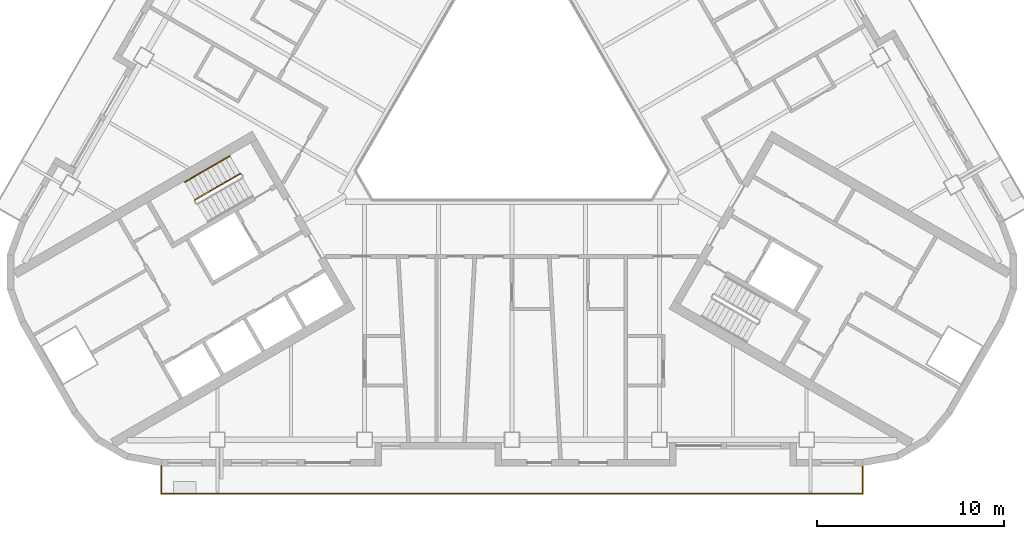
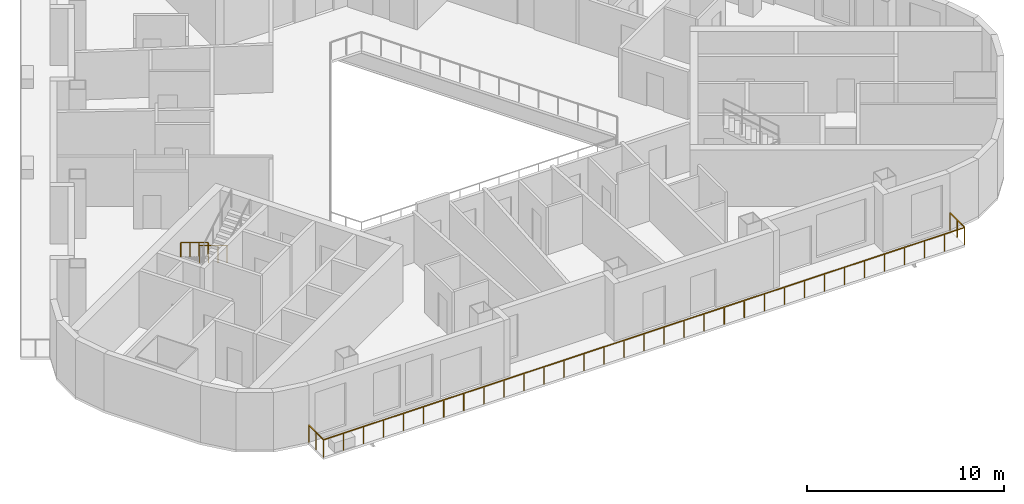
# One storey, part 10 of 14: 3 railings.
"""IFC4 building model written with IfcOpenShell, lengths in metres."""

from ifc_helpers import new_model, si_unit, direction, frame, origin, origin_2d, place, context, subcontext, project, spatial, rectangle, circle, extrude, material, type_object, element, save


model = new_model("IFC4")

# Units and contexts
model_context = context("Model", 3, precision=1e-05, world=origin(), true_north=direction((0.0, 1.0)))
body_context = subcontext(model_context, "Body", "Model", "MODEL_VIEW")
ifc_project = project(units=[si_unit("LENGTHUNIT", "METRE"), si_unit("AREAUNIT", "SQUARE_METRE"), si_unit("VOLUMEUNIT", "CUBIC_METRE"), si_unit("PLANEANGLEUNIT", "RADIAN"), si_unit("MASSUNIT", "GRAM", prefix="KILO")], contexts=[model_context])

# Site, building, storey
site_placement = place(None, origin())
site = spatial("IfcSite", under=ifc_project, at=site_placement, CompositionType="ELEMENT")
building_placement = place(site_placement, origin())
building = spatial("IfcBuilding", under=site, at=building_placement, Name="Apuvela Tower Hotel", CompositionType="ELEMENT")
storey_placement = place(building_placement, frame((0.0, 0.0, 150.300048828125)))
storey = spatial("IfcBuildingStorey", under=building, at=storey_placement, Name="L35", CompositionType="ELEMENT", Elevation=150.300048828125)

# Railings
ifc_material_1 = material(Name="Steel S275 balustrade", Category="steel")
railing_type_1 = type_object("IfcRailingType", Name="COR-GUARD-1100", PredefinedType="GUARDRAIL", material=ifc_material_1)
railing_1_placement = place(storey_placement, frame((-14.569091796875, -3.9658203125, 0.168212890625)))
element("IfcRailing", 1, at=railing_1_placement, inside=storey, type_object=railing_type_1, Name="L35 ST2 stair guard 1", PredefinedType="GUARDRAIL", context=body_context, shape_type="SweptSolid", body=[
    extrude(rectangle(XDim=0.048095703125, YDim=0.048095703125, at=origin_2d()), frame((0.0, 0.0, 1.076171875), z_axis=(-0.74241905619, -0.428617687091, 0.514879426), x_axis=(0.49998411664, -0.866034573852, 0.0)), (0.0, 0.0, 1.0), 3.26611328125),
    extrude(rectangle(XDim=0.0419921875, YDim=0.0419921875, at=origin_2d()), origin(), (0.0, 0.0, 1.0), 1.052001953125),
    extrude(rectangle(XDim=0.0419921875, YDim=0.0419921875, at=origin_2d()), frame((-0.808349609375, -0.466552734375, 0.560546875)), (0.0, 0.0, 1.0), 1.052001953125),
    extrude(rectangle(XDim=0.0419921875, YDim=0.0419921875, at=origin_2d()), frame((-1.616455078125, -0.933349609375, 1.12109375)), (0.0, 0.0, 1.0), 1.052001953125),
    extrude(rectangle(XDim=0.0419921875, YDim=0.0419921875, at=origin_2d()), frame((-2.4248046875, -1.39990234375, 1.681640625)), (0.0, 0.0, 1.0), 1.052001953125),
])
ifc_material_2 = material(Name="Stainless steel 316 handrail", Category="steel")
railing_type_2 = type_object("IfcRailingType", Name="COR-HANDRAIL-900", PredefinedType="HANDRAIL", material=ifc_material_2)
railing_2_placement = place(storey_placement, frame((-15.118896484375, -3.01318359375, 0.168212890625)))
element("IfcRailing", 2, at=railing_2_placement, inside=storey, type_object=railing_type_2, Name="L35 ST2 stair handrail 1", PredefinedType="HANDRAIL", context=body_context, shape_type="SweptSolid", body=[
    extrude(circle(Radius=0.02392578125, at=origin_2d()), frame((0.0, 0.0, 0.8759765625), z_axis=(-0.742452602333, -0.428593901316, 0.514850853203), x_axis=(0.49994636267, -0.866056369097, 0.0)), (0.0, 0.0, 1.0), 3.266357421875),
    extrude(rectangle(XDim=0.0419921875, YDim=0.0419921875, at=origin_2d()), origin(), (0.0, 0.0, 1.0), 0.851806640625),
    extrude(rectangle(XDim=0.0419921875, YDim=0.0419921875, at=origin_2d()), frame((-0.808349609375, -0.466552734375, 0.560546875)), (0.0, 0.0, 1.0), 0.851806640625),
    extrude(rectangle(XDim=0.0419921875, YDim=0.0419921875, at=origin_2d()), frame((-1.61669921875, -0.933349609375, 1.12109375)), (0.0, 0.0, 1.0), 0.851806640625),
    extrude(rectangle(XDim=0.0419921875, YDim=0.0419921875, at=origin_2d()), frame((-2.425048828125, -1.39990234375, 1.681640625)), (0.0, 0.0, 1.0), 0.851806640625),
])
ifc_material_3 = material(Name="Stainless steel 316 rail with laminated glass infill", Category="steel")
railing_type_3 = type_object("IfcRailingType", Name="ENV-GUARD-1100", PredefinedType="GUARDRAIL", material=ifc_material_3)
railing_3_placement = place(storey_placement, frame((-18.81591796875, -19.6298828125, 0.0)))
element("IfcRailing", 3, at=railing_3_placement, inside=storey, type_object=railing_type_3, Name="Balcony guard S L35", PredefinedType="GUARDRAIL", context=body_context, shape_type="SweptSolid", body=[
    extrude(rectangle(XDim=0.050048828125, YDim=0.050048828125, at=origin_2d()), frame((0.0, 0.0, 1.0751953125), z_axis=(0.0, -1.0, 0.0), x_axis=(1.0, 0.0, 0.0)), (0.0, 0.0, 1.0), 1.5),
    extrude(rectangle(XDim=0.050048828125, YDim=0.050048828125, at=origin_2d()), frame((0.0, -1.5, 1.0751953125), z_axis=(1.0, 0.0, 0.0), x_axis=(0.0, 1.0, 0.0)), (0.0, 0.0, 1.0), 37.6318359375),
    extrude(rectangle(XDim=0.050048828125, YDim=0.050048828125, at=origin_2d()), frame((37.6318359375, -1.5, 1.0751953125), z_axis=(0.0, 1.0, 0.0), x_axis=(-1.0, 0.0, 0.0)), (0.0, 0.0, 1.0), 1.5),
    extrude(rectangle(XDim=0.0400390625, YDim=0.0400390625, at=origin_2d()), origin(), (0.0, 0.0, 1.0), 1.050048828125),
    extrude(rectangle(XDim=0.0400390625, YDim=0.0400390625, at=origin_2d()), frame((0.0, -0.75, 0.0)), (0.0, 0.0, 1.0), 1.050048828125),
    extrude(rectangle(XDim=0.0400390625, YDim=0.0400390625, at=origin_2d()), frame((0.0, -1.5, 0.0)), (0.0, 0.0, 1.0), 1.050048828125),
    extrude(rectangle(XDim=0.0400390625, YDim=0.0400390625, at=origin_2d()), frame((1.176025390625, -1.5, 0.0)), (0.0, 0.0, 1.0), 1.050048828125),
    extrude(rectangle(XDim=0.0400390625, YDim=0.0400390625, at=origin_2d()), frame((2.35205078125, -1.5, 0.0)), (0.0, 0.0, 1.0), 1.050048828125),
    extrude(rectangle(XDim=0.0400390625, YDim=0.0400390625, at=origin_2d()), frame((3.528076171875, -1.5, 0.0)), (0.0, 0.0, 1.0), 1.050048828125),
    extrude(rectangle(XDim=0.0400390625, YDim=0.0400390625, at=origin_2d()), frame((4.7041015625, -1.5, 0.0)), (0.0, 0.0, 1.0), 1.050048828125),
    extrude(rectangle(XDim=0.0400390625, YDim=0.0400390625, at=origin_2d()), frame((5.8798828125, -1.5, 0.0)), (0.0, 0.0, 1.0), 1.050048828125),
    extrude(rectangle(XDim=0.0400390625, YDim=0.0400390625, at=origin_2d()), frame((7.055908203125, -1.5, 0.0)), (0.0, 0.0, 1.0), 1.050048828125),
    extrude(rectangle(XDim=0.0400390625, YDim=0.0400390625, at=origin_2d()), frame((8.23193359375, -1.5, 0.0)), (0.0, 0.0, 1.0), 1.050048828125),
    extrude(rectangle(XDim=0.0400390625, YDim=0.0400390625, at=origin_2d()), frame((9.407958984375, -1.5, 0.0)), (0.0, 0.0, 1.0), 1.050048828125),
    extrude(rectangle(XDim=0.0400390625, YDim=0.0400390625, at=origin_2d()), frame((10.583984375, -1.5, 0.0)), (0.0, 0.0, 1.0), 1.050048828125),
    extrude(rectangle(XDim=0.0400390625, YDim=0.0400390625, at=origin_2d()), frame((11.760009765625, -1.5, 0.0)), (0.0, 0.0, 1.0), 1.050048828125),
    extrude(rectangle(XDim=0.0400390625, YDim=0.0400390625, at=origin_2d()), frame((12.93603515625, -1.5, 0.0)), (0.0, 0.0, 1.0), 1.050048828125),
    extrude(rectangle(XDim=0.0400390625, YDim=0.0400390625, at=origin_2d()), frame((14.11181640625, -1.5, 0.0)), (0.0, 0.0, 1.0), 1.050048828125),
    extrude(rectangle(XDim=0.0400390625, YDim=0.0400390625, at=origin_2d()), frame((15.287841796875, -1.5, 0.0)), (0.0, 0.0, 1.0), 1.050048828125),
    extrude(rectangle(XDim=0.0400390625, YDim=0.0400390625, at=origin_2d()), frame((16.4638671875, -1.5, 0.0)), (0.0, 0.0, 1.0), 1.050048828125),
    extrude(rectangle(XDim=0.0400390625, YDim=0.0400390625, at=origin_2d()), frame((17.639892578125, -1.5, 0.0)), (0.0, 0.0, 1.0), 1.050048828125),
    extrude(rectangle(XDim=0.0400390625, YDim=0.0400390625, at=origin_2d()), frame((18.81591796875, -1.5, 0.0)), (0.0, 0.0, 1.0), 1.050048828125),
    extrude(rectangle(XDim=0.0400390625, YDim=0.0400390625, at=origin_2d()), frame((19.991943359375, -1.5, 0.0)), (0.0, 0.0, 1.0), 1.050048828125),
    extrude(rectangle(XDim=0.0400390625, YDim=0.0400390625, at=origin_2d()), frame((21.16796875, -1.5, 0.0)), (0.0, 0.0, 1.0), 1.050048828125),
    extrude(rectangle(XDim=0.0400390625, YDim=0.0400390625, at=origin_2d()), frame((22.343994140625, -1.5, 0.0)), (0.0, 0.0, 1.0), 1.050048828125),
    extrude(rectangle(XDim=0.0400390625, YDim=0.0400390625, at=origin_2d()), frame((23.52001953125, -1.5, 0.0)), (0.0, 0.0, 1.0), 1.050048828125),
    extrude(rectangle(XDim=0.0400390625, YDim=0.0400390625, at=origin_2d()), frame((24.69580078125, -1.5, 0.0)), (0.0, 0.0, 1.0), 1.050048828125),
    extrude(rectangle(XDim=0.0400390625, YDim=0.0400390625, at=origin_2d()), frame((25.871826171875, -1.5, 0.0)), (0.0, 0.0, 1.0), 1.050048828125),
    extrude(rectangle(XDim=0.0400390625, YDim=0.0400390625, at=origin_2d()), frame((27.0478515625, -1.5, 0.0)), (0.0, 0.0, 1.0), 1.050048828125),
    extrude(rectangle(XDim=0.0400390625, YDim=0.0400390625, at=origin_2d()), frame((28.223876953125, -1.5, 0.0)), (0.0, 0.0, 1.0), 1.050048828125),
    extrude(rectangle(XDim=0.0400390625, YDim=0.0400390625, at=origin_2d()), frame((29.39990234375, -1.5, 0.0)), (0.0, 0.0, 1.0), 1.050048828125),
    extrude(rectangle(XDim=0.0400390625, YDim=0.0400390625, at=origin_2d()), frame((30.575927734375, -1.5, 0.0)), (0.0, 0.0, 1.0), 1.050048828125),
    extrude(rectangle(XDim=0.0400390625, YDim=0.0400390625, at=origin_2d()), frame((31.751953125, -1.5, 0.0)), (0.0, 0.0, 1.0), 1.050048828125),
    extrude(rectangle(XDim=0.0400390625, YDim=0.0400390625, at=origin_2d()), frame((32.927734375, -1.5, 0.0)), (0.0, 0.0, 1.0), 1.050048828125),
    extrude(rectangle(XDim=0.0400390625, YDim=0.0400390625, at=origin_2d()), frame((34.103759765625, -1.5, 0.0)), (0.0, 0.0, 1.0), 1.050048828125),
    extrude(rectangle(XDim=0.0400390625, YDim=0.0400390625, at=origin_2d()), frame((35.27978515625, -1.5, 0.0)), (0.0, 0.0, 1.0), 1.050048828125),
    extrude(rectangle(XDim=0.0400390625, YDim=0.0400390625, at=origin_2d()), frame((36.455810546875, -1.5, 0.0)), (0.0, 0.0, 1.0), 1.050048828125),
    extrude(rectangle(XDim=0.0400390625, YDim=0.0400390625, at=origin_2d()), frame((37.6318359375, -1.5, 0.0)), (0.0, 0.0, 1.0), 1.050048828125),
    extrude(rectangle(XDim=0.0400390625, YDim=0.0400390625, at=origin_2d()), frame((37.6318359375, -0.75, 0.0)), (0.0, 0.0, 1.0), 1.050048828125),
    extrude(rectangle(XDim=0.0400390625, YDim=0.0400390625, at=origin_2d()), frame((37.6318359375, 0.0, 0.0)), (0.0, 0.0, 1.0), 1.050048828125),
])

save(model, "model.ifc")
